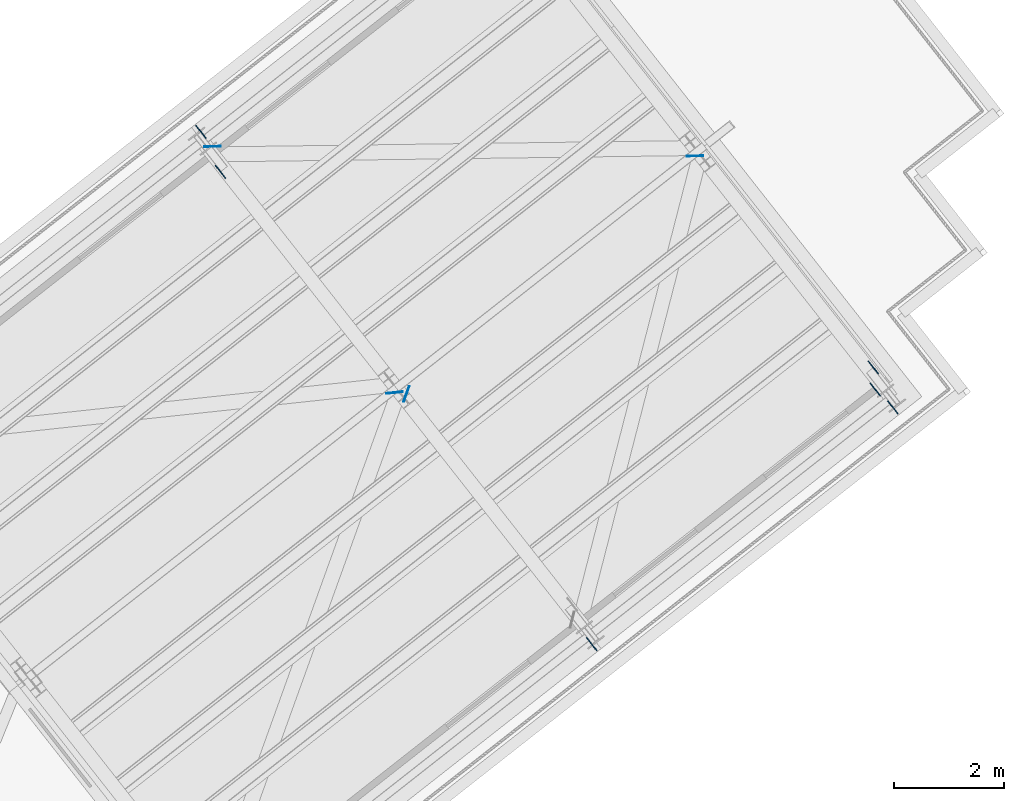
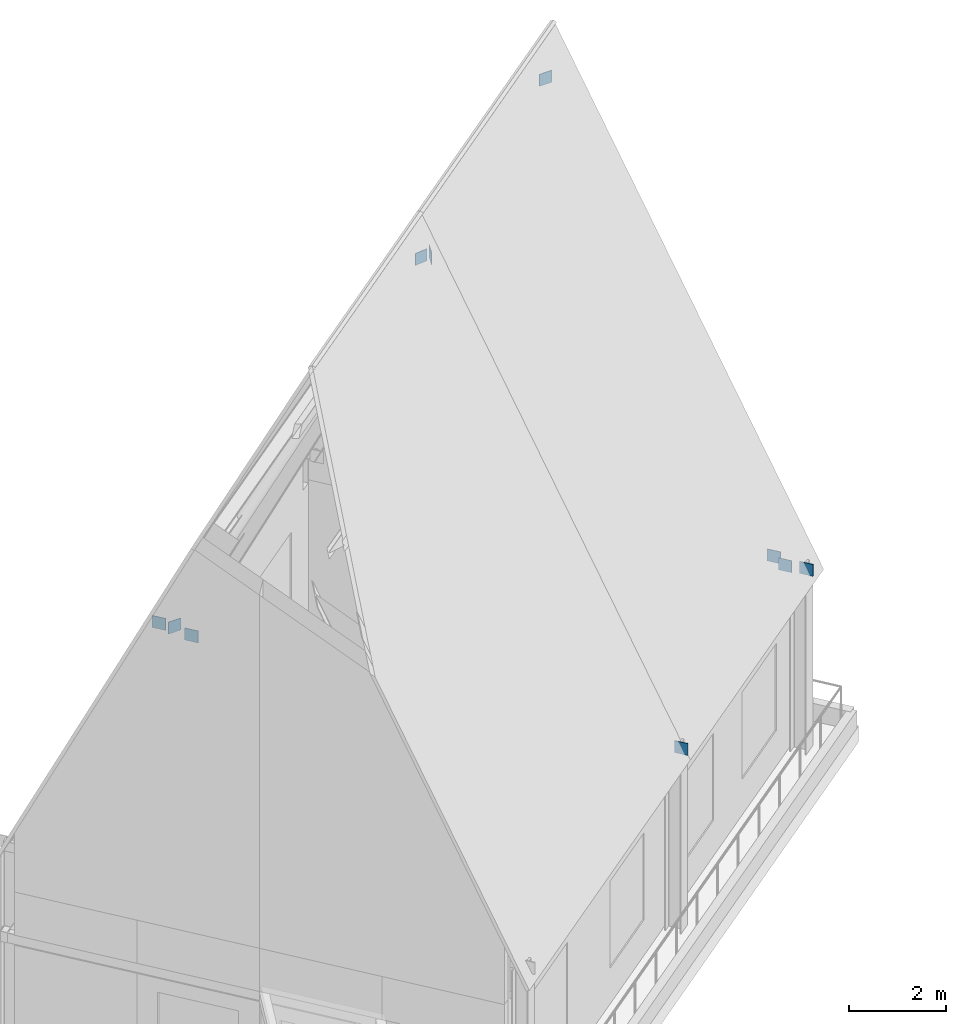
# One storey, part 28 of 32: 10 discrete accessories.
"""IFC4 building model written with IfcOpenShell, lengths in metres."""

import ifcopenshell
import ifcopenshell.guid

model = None  # the IFC model being written
_history = None  # IfcOwnerHistory: only IFC2X3 demands one
_inside = {}  # id of a spatial element -> (the spatial element, [elements in it])
_under = {}  # id of a project, library or spatial element -> (it, [spatial elements below it])
_declared = {}  # id of a project -> (the project, [libraries it declares])
_typed = {}  # id of a type object -> (the type object, [elements of that type])
_made_of = {}  # id of a material, layer set ... -> (it, [elements and type objects made of it])


def new_model(schema):
    """Start an empty IFC model of exactly this schema.

    Asked for "IFC4X3", IfcOpenShell would pick the latest addendum, in which some entities
    have other attributes; the version numbers below select the first issue.
    IFC2X3 requires an IfcOwnerHistory on every rooted entity: one is made here for all.
    """
    global model, _history
    if schema == "IFC4X3":
        model = ifcopenshell.file(schema_version=(4, 3, 0, 0))
    else:
        model = ifcopenshell.file(schema=schema)
    _inside.clear()
    _under.clear()
    _declared.clear()
    _typed.clear()
    _made_of.clear()
    _history = None
    if model.schema == "IFC2X3":
        org = make("IfcOrganization", Name="unknown")
        user = make(
            "IfcPersonAndOrganization",
            ThePerson=make("IfcPerson", FamilyName="unknown"),
            TheOrganization=org,
        )
        app = make(
            "IfcApplication",
            ApplicationDeveloper=org,
            Version="unknown",
            ApplicationFullName="unknown",
            ApplicationIdentifier="unknown",
        )
        _history = make(
            "IfcOwnerHistory",
            OwningUser=user,
            OwningApplication=app,
            ChangeAction="ADDED",
            CreationDate=0,
        )
    return model


def make(cls, **values):
    """One entity of the class cls with the attributes given. An attribute that is None is left unset."""
    return model.create_entity(
        cls, **{name: value for name, value in values.items() if value is not None}
    )


def rooted(cls, **values):
    """An entity with a GlobalId (a new one), such as an element, a storey or a relation."""
    return make(cls, GlobalId=ifcopenshell.guid.new(), OwnerHistory=_history, **values)


def si_unit(unit_type, name, prefix=None):
    """IfcSIUnit, for example si_unit("LENGTHUNIT", "METRE", prefix="MILLI")."""
    return make("IfcSIUnit", UnitType=unit_type, Prefix=prefix, Name=name)


def assignment(units):
    """IfcUnitAssignment: the units of a project."""
    return None if units is None else make("IfcUnitAssignment", Units=units)


def point(xyz):
    """IfcCartesianPoint."""
    return None if xyz is None else make("IfcCartesianPoint", Coordinates=xyz)


def direction(xyz):
    """IfcDirection."""
    return None if xyz is None else make("IfcDirection", DirectionRatios=xyz)


def frame(location, z_axis=None, x_axis=None):
    """IfcAxis2Placement3D, a coordinate frame: its origin and axes. An axis left out is left unset."""
    return make(
        "IfcAxis2Placement3D",
        Location=point(location),
        Axis=direction(z_axis),
        RefDirection=direction(x_axis),
    )


def frame_2d(location, x_axis=None):
    """IfcAxis2Placement2D, a coordinate frame in the plane: its origin and x axis."""
    return make(
        "IfcAxis2Placement2D", Location=point(location), RefDirection=direction(x_axis)
    )


def origin():
    """The frame at (0, 0, 0) with its axes left unset."""
    return frame((0.0, 0.0, 0.0))


def origin_2d():
    """The frame at (0, 0) in the plane with its x axis left unset."""
    return frame_2d((0.0, 0.0))


def place(relative_to, where):
    """IfcLocalPlacement: puts the frame where relative to a parent placement (None: the world)."""
    return make(
        "IfcLocalPlacement", PlacementRelTo=relative_to, RelativePlacement=where
    )


def context(
    kind, dimensions, precision=None, world=None, true_north=None, identifier=None
):
    """IfcGeometricRepresentationContext, for example the 3D "Model" context."""
    return make(
        "IfcGeometricRepresentationContext",
        ContextIdentifier=identifier,
        ContextType=kind,
        CoordinateSpaceDimension=dimensions,
        Precision=precision,
        WorldCoordinateSystem=world,
        TrueNorth=true_north,
    )


def subcontext(parent, identifier, kind, view, scale=None):
    """IfcGeometricRepresentationSubContext, for example "Body" below "Model"."""
    return make(
        "IfcGeometricRepresentationSubContext",
        ContextIdentifier=identifier,
        ContextType=kind,
        ParentContext=parent,
        TargetScale=scale,
        TargetView=view,
    )


def project(units=None, contexts=None):
    """IfcProject with its units and contexts."""
    return rooted(
        "IfcProject",
        Name="project",
        RepresentationContexts=contexts,
        UnitsInContext=assignment(units),
    )


def spatial(cls, under=None, at=None, **own):
    """A site, building, storey or space (cls), placed at a placement, below another one or the project."""
    s = rooted(cls, ObjectPlacement=at, **own)
    if under is not None:
        _under.setdefault(under.id(), (under, []))[1].append(s)
    return s


def profile(cls, at=None, kind="AREA", **sizes):
    """A parametric profile (cls). Its sizes go by their IFC names, for example OverallWidth=200.0."""
    return make(cls, ProfileType=kind, Position=at, **sizes)


def rectangle(**sizes):
    """IfcRectangleProfileDef."""
    return profile("IfcRectangleProfileDef", **sizes)


def extrude(swept, where, along, depth):
    """IfcExtrudedAreaSolid: the profile swept, set in the frame where, extruded along a direction by depth."""
    return make(
        "IfcExtrudedAreaSolid",
        SweptArea=swept,
        Position=where,
        ExtrudedDirection=direction(along),
        Depth=depth,
    )


def shape(context_of_items, identifier, shape_type, items):
    """IfcShapeRepresentation: the items that make up one representation, for example the "Body"."""
    return make(
        "IfcShapeRepresentation",
        ContextOfItems=context_of_items,
        RepresentationIdentifier=identifier,
        RepresentationType=shape_type,
        Items=items,
    )


def made_of(thing, what):
    """Note that an element or type object is made of a material, layer set ...; save() writes the relation."""
    if what is not None:
        _made_of.setdefault(what.id(), (what, []))[1].append(thing)
    return thing


def element(
    cls,
    number,
    at=None,
    inside=None,
    cuts=None,
    type_object=None,
    material=None,
    context=None,
    identifier="Body",
    shape_type=None,
    held_by="IfcProductDefinitionShape",
    body=None,
    shapes=None,
    **own,
):
    """One element of the class cls, such as IfcWall. Its Tag is "e" and its number.

    at: its placement. inside: the storey or other place that contains it. cuts: it is an
    opening in that element (IfcRelVoidsElement). A single representation is given by context,
    identifier, shape_type and body (its items); several are given by shapes. held_by: the class
    of the entity that holds the representations. save() writes the other relations.
    """
    e = rooted(cls, Tag="e%d" % number, ObjectPlacement=at, **own)
    if body is not None:
        shapes = [shape(context, identifier, shape_type, body)]
    if shapes is not None:
        e.Representation = make(held_by, Representations=shapes)
    if inside is not None:
        _inside.setdefault(inside.id(), (inside, []))[1].append(e)
    if cuts is not None:
        rooted(
            "IfcRelVoidsElement", RelatingBuildingElement=cuts, RelatedOpeningElement=e
        )
    if type_object is not None:
        _typed.setdefault(type_object.id(), (type_object, []))[1].append(e)
    return made_of(e, material)


def aggregate(whole, parts):
    """IfcRelAggregates: a whole, such as a stair, and the parts it consists of."""
    return rooted("IfcRelAggregates", RelatingObject=whole, RelatedObjects=parts)


def save(model, path):
    """Write the relations noted so far, then the file.

    IfcRelAggregates (storeys below a building ...), IfcRelContainedInSpatialStructure (elements
    in a storey), IfcRelDefinesByType, IfcRelAssociatesMaterial and IfcRelDeclares: one each for
    every whole, place, type object, material and project.
    """
    for whole, parts in _under.values():
        aggregate(whole, parts)
    for where, things in _inside.values():
        rooted(
            "IfcRelContainedInSpatialStructure",
            RelatedElements=things,
            RelatingStructure=where,
        )
    for kind, things in _typed.values():
        rooted("IfcRelDefinesByType", RelatedObjects=things, RelatingType=kind)
    for what, things in _made_of.values():
        rooted("IfcRelAssociatesMaterial", RelatedObjects=things, RelatingMaterial=what)
    for by, libraries in _declared.values():
        rooted("IfcRelDeclares", RelatingContext=by, RelatedDefinitions=libraries)
    model.write(path)


model = new_model("IFC4")

# Units and contexts
model_context = context("Model", 3, precision=1e-05, world=origin(), true_north=direction((0.0, 1.0)))
body_context = subcontext(model_context, "Body", "Model", "MODEL_VIEW")
ifc_project = project(units=[si_unit("LENGTHUNIT", "METRE"), si_unit("AREAUNIT", "SQUARE_METRE"), si_unit("VOLUMEUNIT", "CUBIC_METRE"), si_unit("PLANEANGLEUNIT", "RADIAN"), si_unit("MASSUNIT", "GRAM", prefix="KILO")], contexts=[model_context])

# Site, building, storey
site_placement = place(None, origin())
site = spatial("IfcSite", under=ifc_project, at=site_placement, CompositionType="ELEMENT")
building_placement = place(site_placement, origin())
building = spatial("IfcBuilding", under=site, at=building_placement, Name="Verdalira Terraces Hotel", CompositionType="ELEMENT")
storey_placement = place(building_placement, frame((0.0, 0.0, 315.0)))
storey = spatial("IfcBuildingStorey", under=building, at=storey_placement, Name="L78", CompositionType="ELEMENT", Elevation=315.0)

# Discrete accessories
for number, where, z_axis, x_axis, name in (
    (1, (21.802979, 24.572754, 4.477051), (0.0, 0.0, 1.0), (0.617859613, -0.786288432, 0.0), "Connection plate"),
    (2, (22.015869, 24.307861, 4.483887), (0.0, 0.0, 1.0), (0.999911146, 0.01333043, 0.0), "Connection plate"),
    (3, (22.158203, 23.848145, 4.477051), (0.0, 0.0, 1.0), (-0.617859613, 0.786288432, 0.0), "Connection plate"),
    (4, (25.534424, 19.812012, 15.350098), (0.0, 0.0, 1.0), (-0.338895562, -0.940824, 0.0), "Connection plate"),
    (5, (25.31958, 19.837158, 15.350098), (0.0, 0.0, 1.0), (-0.994282914, -0.106777749, 0.0), "Connection plate"),
    (6, (28.899658, 15.269043, 4.477051), (0.0, 0.0, 1.0), (-0.617859613, 0.786288432, 0.0), "Connection plate"),
    (7, (30.777344, 24.135498, 15.350098), (0.0, 0.0, 1.0), (-0.999911146, -0.01333043, 0.0), "Connection plate"),
    (8, (34.015625, 20.292725, 4.477051), (0.0, 0.0, 1.0), (0.617859613, -0.786288432, 0.0), "Connection plate"),
    (9, (34.050049, 19.894287, 4.483887), (0.0, 0.0, 1.0), (-0.617859613, 0.786288432, 0.0), "Connection plate"),
    (10, (34.37085, 19.568359, 4.477051), (0.0, 0.0, 1.0), (-0.617859613, 0.786288432, 0.0), "Connection plate"),
):
    element("IfcDiscreteAccessory", number, at=place(storey_placement, frame(where, z_axis=z_axis, x_axis=x_axis)), inside=storey, Name=name, PredefinedType="BRACKET", context=body_context, shape_type="SweptSolid", body=[
        extrude(rectangle(XDim=0.300049, YDim=0.016113, at=origin_2d()), origin(), (0.0, 0.0, 1.0), 0.300049),
    ])

save(model, "model.ifc")
